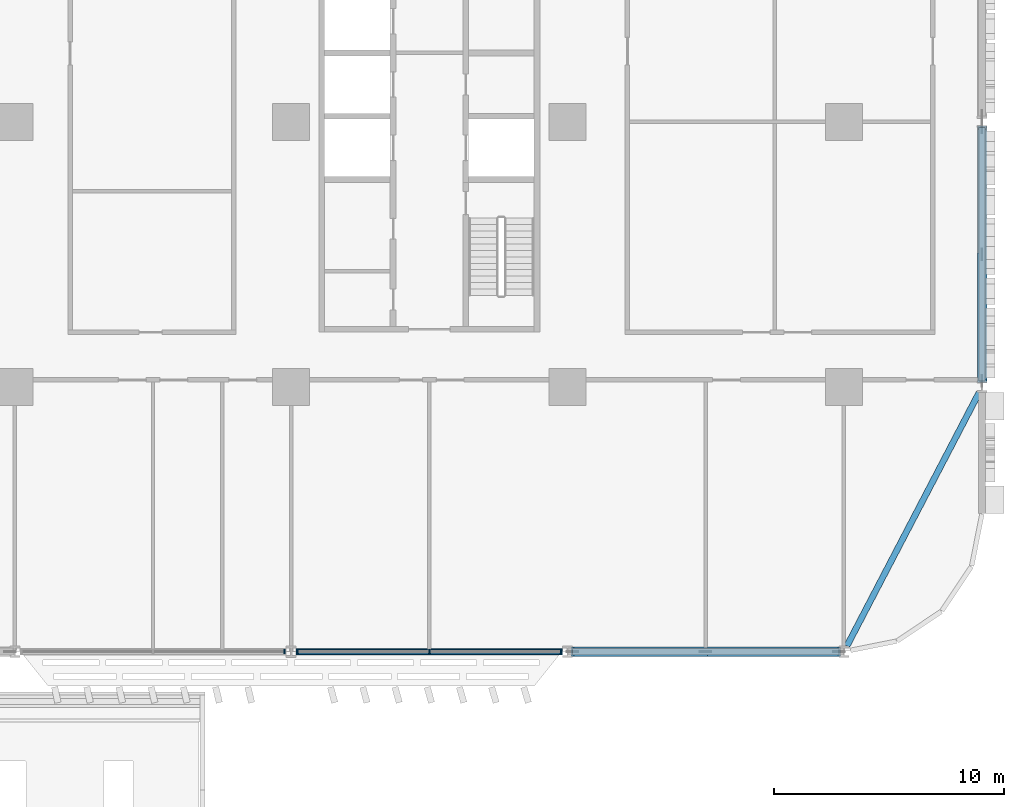
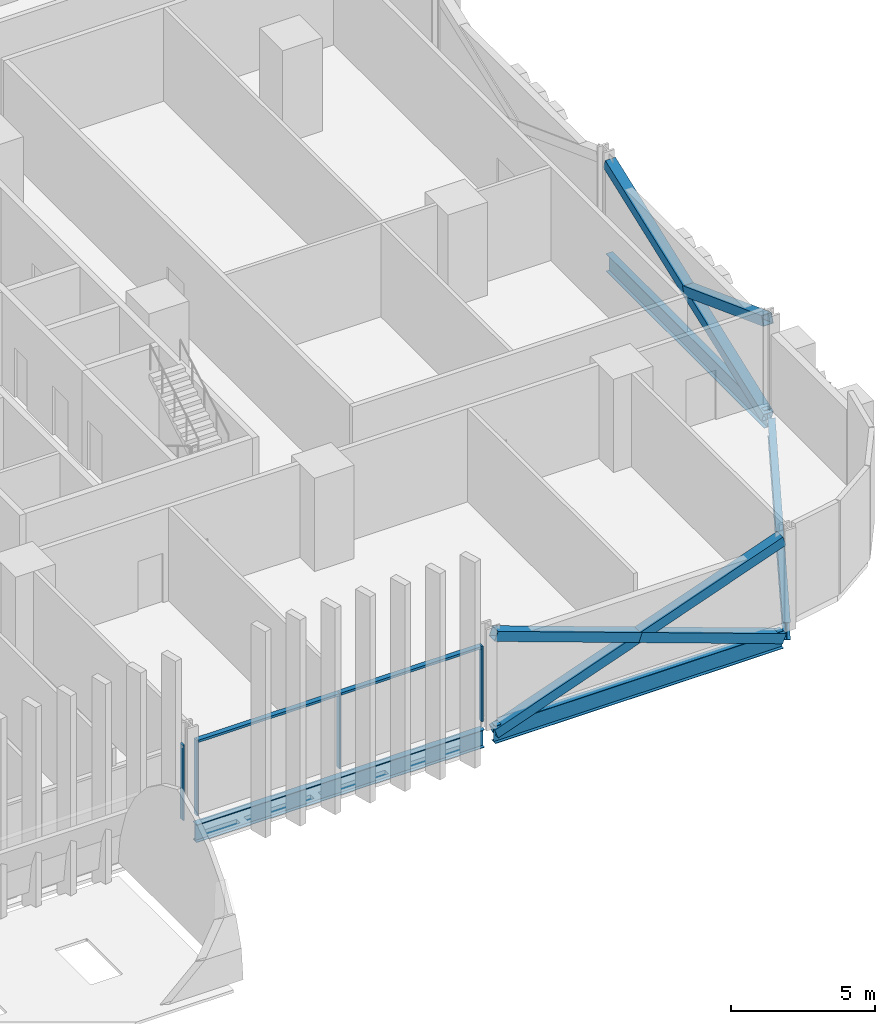
# One storey, part 7 of 31: 11 members, 4 beams, 2 elements without a shape of their own.
"""IFC4 building model written with IfcOpenShell, lengths in metres."""

import ifcopenshell
import ifcopenshell.guid

model = None  # the IFC model being written
_history = None  # IfcOwnerHistory: only IFC2X3 demands one
_inside = {}  # id of a spatial element -> (the spatial element, [elements in it])
_under = {}  # id of a project, library or spatial element -> (it, [spatial elements below it])
_declared = {}  # id of a project -> (the project, [libraries it declares])
_typed = {}  # id of a type object -> (the type object, [elements of that type])
_made_of = {}  # id of a material, layer set ... -> (it, [elements and type objects made of it])


def new_model(schema):
    """Start an empty IFC model of exactly this schema.

    Asked for "IFC4X3", IfcOpenShell would pick the latest addendum, in which some entities
    have other attributes; the version numbers below select the first issue.
    IFC2X3 requires an IfcOwnerHistory on every rooted entity: one is made here for all.
    """
    global model, _history
    if schema == "IFC4X3":
        model = ifcopenshell.file(schema_version=(4, 3, 0, 0))
    else:
        model = ifcopenshell.file(schema=schema)
    _inside.clear()
    _under.clear()
    _declared.clear()
    _typed.clear()
    _made_of.clear()
    _history = None
    if model.schema == "IFC2X3":
        org = make("IfcOrganization", Name="unknown")
        user = make(
            "IfcPersonAndOrganization",
            ThePerson=make("IfcPerson", FamilyName="unknown"),
            TheOrganization=org,
        )
        app = make(
            "IfcApplication",
            ApplicationDeveloper=org,
            Version="unknown",
            ApplicationFullName="unknown",
            ApplicationIdentifier="unknown",
        )
        _history = make(
            "IfcOwnerHistory",
            OwningUser=user,
            OwningApplication=app,
            ChangeAction="ADDED",
            CreationDate=0,
        )
    return model


def make(cls, **values):
    """One entity of the class cls with the attributes given. An attribute that is None is left unset."""
    return model.create_entity(
        cls, **{name: value for name, value in values.items() if value is not None}
    )


def rooted(cls, **values):
    """An entity with a GlobalId (a new one), such as an element, a storey or a relation."""
    return make(cls, GlobalId=ifcopenshell.guid.new(), OwnerHistory=_history, **values)


def si_unit(unit_type, name, prefix=None):
    """IfcSIUnit, for example si_unit("LENGTHUNIT", "METRE", prefix="MILLI")."""
    return make("IfcSIUnit", UnitType=unit_type, Prefix=prefix, Name=name)


def assignment(units):
    """IfcUnitAssignment: the units of a project."""
    return None if units is None else make("IfcUnitAssignment", Units=units)


def point(xyz):
    """IfcCartesianPoint."""
    return None if xyz is None else make("IfcCartesianPoint", Coordinates=xyz)


def direction(xyz):
    """IfcDirection."""
    return None if xyz is None else make("IfcDirection", DirectionRatios=xyz)


def frame(location, z_axis=None, x_axis=None):
    """IfcAxis2Placement3D, a coordinate frame: its origin and axes. An axis left out is left unset."""
    return make(
        "IfcAxis2Placement3D",
        Location=point(location),
        Axis=direction(z_axis),
        RefDirection=direction(x_axis),
    )


def frame_2d(location, x_axis=None):
    """IfcAxis2Placement2D, a coordinate frame in the plane: its origin and x axis."""
    return make(
        "IfcAxis2Placement2D", Location=point(location), RefDirection=direction(x_axis)
    )


def origin():
    """The frame at (0, 0, 0) with its axes left unset."""
    return frame((0.0, 0.0, 0.0))


def origin_2d():
    """The frame at (0, 0) in the plane with its x axis left unset."""
    return frame_2d((0.0, 0.0))


def place(relative_to, where):
    """IfcLocalPlacement: puts the frame where relative to a parent placement (None: the world)."""
    return make(
        "IfcLocalPlacement", PlacementRelTo=relative_to, RelativePlacement=where
    )


def context(
    kind, dimensions, precision=None, world=None, true_north=None, identifier=None
):
    """IfcGeometricRepresentationContext, for example the 3D "Model" context."""
    return make(
        "IfcGeometricRepresentationContext",
        ContextIdentifier=identifier,
        ContextType=kind,
        CoordinateSpaceDimension=dimensions,
        Precision=precision,
        WorldCoordinateSystem=world,
        TrueNorth=true_north,
    )


def subcontext(parent, identifier, kind, view, scale=None):
    """IfcGeometricRepresentationSubContext, for example "Body" below "Model"."""
    return make(
        "IfcGeometricRepresentationSubContext",
        ContextIdentifier=identifier,
        ContextType=kind,
        ParentContext=parent,
        TargetScale=scale,
        TargetView=view,
    )


def project(units=None, contexts=None):
    """IfcProject with its units and contexts."""
    return rooted(
        "IfcProject",
        Name="project",
        RepresentationContexts=contexts,
        UnitsInContext=assignment(units),
    )


def spatial(cls, under=None, at=None, **own):
    """A site, building, storey or space (cls), placed at a placement, below another one or the project."""
    s = rooted(cls, ObjectPlacement=at, **own)
    if under is not None:
        _under.setdefault(under.id(), (under, []))[1].append(s)
    return s


def profile(cls, at=None, kind="AREA", **sizes):
    """A parametric profile (cls). Its sizes go by their IFC names, for example OverallWidth=200.0."""
    return make(cls, ProfileType=kind, Position=at, **sizes)


def rectangle(**sizes):
    """IfcRectangleProfileDef."""
    return profile("IfcRectangleProfileDef", **sizes)


def hollow_rectangle(**sizes):
    """IfcRectangleHollowProfileDef."""
    return profile("IfcRectangleHollowProfileDef", **sizes)


def i_section(**sizes):
    """IfcIShapeProfileDef."""
    return profile("IfcIShapeProfileDef", **sizes)


def extrude(swept, where, along, depth):
    """IfcExtrudedAreaSolid: the profile swept, set in the frame where, extruded along a direction by depth."""
    return make(
        "IfcExtrudedAreaSolid",
        SweptArea=swept,
        Position=where,
        ExtrudedDirection=direction(along),
        Depth=depth,
    )


def shape(context_of_items, identifier, shape_type, items):
    """IfcShapeRepresentation: the items that make up one representation, for example the "Body"."""
    return make(
        "IfcShapeRepresentation",
        ContextOfItems=context_of_items,
        RepresentationIdentifier=identifier,
        RepresentationType=shape_type,
        Items=items,
    )


def material(Name=None, Category=None):
    """IfcMaterial."""
    return make("IfcMaterial", Name=Name, Category=Category)


def material_profile(
    of_material, cross_section, Name=None, Category=None, Priority=None
):
    """IfcMaterialProfile: a cross section and its material."""
    return make(
        "IfcMaterialProfile",
        Name=Name,
        Material=of_material,
        Profile=cross_section,
        Priority=Priority,
        Category=Category,
    )


def profile_set(profiles, Name=None, composite=None):
    """IfcMaterialProfileSet."""
    return make(
        "IfcMaterialProfileSet",
        Name=Name,
        MaterialProfiles=profiles,
        CompositeProfile=composite,
    )


def made_of(thing, what):
    """Note that an element or type object is made of a material, layer set ...; save() writes the relation."""
    if what is not None:
        _made_of.setdefault(what.id(), (what, []))[1].append(thing)
    return thing


def type_object(cls, material=None, **own):
    """A type object (cls), such as IfcWallType, which elements share."""
    return made_of(rooted(cls, **own), material)


def element(
    cls,
    number,
    at=None,
    inside=None,
    cuts=None,
    type_object=None,
    material=None,
    context=None,
    identifier="Body",
    shape_type=None,
    held_by="IfcProductDefinitionShape",
    body=None,
    shapes=None,
    **own,
):
    """One element of the class cls, such as IfcWall. Its Tag is "e" and its number.

    at: its placement. inside: the storey or other place that contains it. cuts: it is an
    opening in that element (IfcRelVoidsElement). A single representation is given by context,
    identifier, shape_type and body (its items); several are given by shapes. held_by: the class
    of the entity that holds the representations. save() writes the other relations.
    """
    e = rooted(cls, Tag="e%d" % number, ObjectPlacement=at, **own)
    if body is not None:
        shapes = [shape(context, identifier, shape_type, body)]
    if shapes is not None:
        e.Representation = make(held_by, Representations=shapes)
    if inside is not None:
        _inside.setdefault(inside.id(), (inside, []))[1].append(e)
    if cuts is not None:
        rooted(
            "IfcRelVoidsElement", RelatingBuildingElement=cuts, RelatedOpeningElement=e
        )
    if type_object is not None:
        _typed.setdefault(type_object.id(), (type_object, []))[1].append(e)
    return made_of(e, material)


def aggregate(whole, parts):
    """IfcRelAggregates: a whole, such as a stair, and the parts it consists of."""
    return rooted("IfcRelAggregates", RelatingObject=whole, RelatedObjects=parts)


def save(model, path):
    """Write the relations noted so far, then the file.

    IfcRelAggregates (storeys below a building ...), IfcRelContainedInSpatialStructure (elements
    in a storey), IfcRelDefinesByType, IfcRelAssociatesMaterial and IfcRelDeclares: one each for
    every whole, place, type object, material and project.
    """
    for whole, parts in _under.values():
        aggregate(whole, parts)
    for where, things in _inside.values():
        rooted(
            "IfcRelContainedInSpatialStructure",
            RelatedElements=things,
            RelatingStructure=where,
        )
    for kind, things in _typed.values():
        rooted("IfcRelDefinesByType", RelatedObjects=things, RelatingType=kind)
    for what, things in _made_of.values():
        rooted("IfcRelAssociatesMaterial", RelatedObjects=things, RelatingMaterial=what)
    for by, libraries in _declared.values():
        rooted("IfcRelDeclares", RelatingContext=by, RelatedDefinitions=libraries)
    model.write(path)


model = new_model("IFC4")

# Units and contexts
model_context = context("Model", 3, precision=1e-05, world=origin(), true_north=direction((0.0, 1.0)))
body_context = subcontext(model_context, "Body", "Model", "MODEL_VIEW")
ifc_project = project(units=[si_unit("LENGTHUNIT", "METRE"), si_unit("AREAUNIT", "SQUARE_METRE"), si_unit("VOLUMEUNIT", "CUBIC_METRE"), si_unit("PLANEANGLEUNIT", "RADIAN"), si_unit("MASSUNIT", "GRAM", prefix="KILO")], contexts=[model_context])

# Site, building, storey
site_placement = place(None, origin())
site = spatial("IfcSite", under=ifc_project, at=site_placement, CompositionType="ELEMENT")
building_placement = place(site_placement, origin())
building = spatial("IfcBuilding", under=site, at=building_placement, Name="Mahtab Terrace Research Tower", CompositionType="ELEMENT")
storey_placement = place(building_placement, frame((0.0, 0.0, 11.5)))
storey = spatial("IfcBuildingStorey", under=building, at=storey_placement, Name="L02", CompositionType="ELEMENT", Elevation=11.5)

# Members
ifc_material_1 = material(Name="Steel ASTM A500 Gr C", Category="steel")
ifc_material_profile_1 = material_profile(ifc_material_1, hollow_rectangle(XDim=0.406494140625, YDim=0.406494140625, WallThickness=0.01904296875, at=origin_2d()), Name="HSS16X16X3/4")
ifc_profile_set_1 = profile_set([ifc_material_profile_1], Name="Steel ASTM A500 Gr C")
member_type_1 = type_object("IfcMemberType", Name="HSS 16x16x3/4 brace XB161634", PredefinedType="BRACE", material=ifc_profile_set_1)
member_1_placement = place(storey_placement, frame((30.2158203125, -23.0, -0.64111328125), z_axis=(0.941388097231, 0.0, 0.337325436917), x_axis=(0.0, 1.0, 0.0)))
element("IfcMember", 1, at=member_1_placement, inside=storey, type_object=member_type_1, Name="Exoskeleton brace L02 18 a", PredefinedType="BRACE", context=body_context, shape_type="SweptSolid", body=[
    extrude(hollow_rectangle(XDim=0.406494140625, YDim=0.406494140625, WallThickness=0.01904296875, at=origin_2d()), origin(), (0.0, 0.0, 1.0), 12.28857421875),
])
for number, where, z_axis, x_axis, name in (
    (2, (41.7841796875, -23.0, -0.64111328125), (-0.941381788192, 0.0, 0.337343043295), (0.0, -1.0, 0.0), "Exoskeleton brace L02 18 b1"),
    (3, (36.0, -23.0, 1.431640625), (-0.941394406025, 0.0, 0.337307830185), (0.0, -1.0, 0.0), "Exoskeleton brace L02 18 b2"),
):
    element("IfcMember", number, at=place(storey_placement, frame(where, z_axis=z_axis, x_axis=x_axis)), inside=storey, type_object=member_type_1, Name=name, PredefinedType="BRACE", context=body_context, shape_type="SweptSolid", body=[
        extrude(hollow_rectangle(XDim=0.406494140625, YDim=0.406494140625, WallThickness=0.01904296875, at=origin_2d()), origin(), (0.0, 0.0, 1.0), 6.144287109375),
    ])
member_2_placement = place(storey_placement, frame((48.0, -11.251220703125, -0.62548828125), z_axis=(0.0, 0.936661873217, 0.350234971499), x_axis=(-1.0, 0.0, 0.0)))
element("IfcMember", 4, at=member_2_placement, inside=storey, type_object=member_type_1, Name="Exoskeleton brace L02 20 a", PredefinedType="BRACE", context=body_context, shape_type="SweptSolid", body=[
    extrude(hollow_rectangle(XDim=0.406494140625, YDim=0.406494140625, WallThickness=0.01904296875, at=origin_2d()), origin(), (0.0, 0.0, 1.0), 11.746337890625),
])
member_3_placement = place(storey_placement, frame((48.0, -5.75, 1.431640625), z_axis=(0.0, -0.936668691391, 0.350216736563), x_axis=(1.0, 0.0, 0.0)))
element("IfcMember", 5, at=member_3_placement, inside=storey, type_object=member_type_1, Name="Exoskeleton brace L02 20 b2", PredefinedType="BRACE", context=body_context, shape_type="SweptSolid", body=[
    extrude(hollow_rectangle(XDim=0.406494140625, YDim=0.406494140625, WallThickness=0.01904296875, at=origin_2d()), origin(), (0.0, 0.0, 1.0), 5.873291015625),
])

# Curtain wall, member
ifc_material_2 = material(Name="Laboratory ribbon curtain wall")
curtain_wall_type = type_object("IfcCurtainWallType", Name="Laboratory ribbon curtain wall", PredefinedType="NOTDEFINED", material=ifc_material_2)
curtain_wall_1_placement = place(storey_placement, origin())
curtain_wall_1 = element("IfcCurtainWall", 6, at=curtain_wall_1_placement, inside=storey, type_object=curtain_wall_type, Name="EN.L02.13.26", PredefinedType="NOTDEFINED")
ifc_material_3 = material(Name="Natural anodised aluminium", Category="aluminium")
ifc_material_profile_2 = material_profile(ifc_material_3, rectangle(XDim=0.199951171875, YDim=0.06494140625, at=origin_2d()), Name="MULLION 65x200")
ifc_profile_set_2 = profile_set([ifc_material_profile_2], Name="Natural anodised aluminium")
member_type_2 = type_object("IfcMemberType", Name="Laboratory ribbon curtain wall mullion", PredefinedType="MULLION", material=ifc_profile_set_2)
member_4_placement = place(storey_placement, frame((17.718505859375, -23.0, 0.0), z_axis=(0.0, 0.0, 1.0), x_axis=(0.0, 1.0, 0.0)))
member_4 = element("IfcMember", 7, at=member_4_placement, type_object=member_type_2, Name="CWL-1 mullion 3", PredefinedType="MULLION", context=body_context, shape_type="SweptSolid", body=[
    extrude(rectangle(XDim=0.199951171875, YDim=0.06494140625, at=origin_2d()), origin(), (0.0, 0.0, 1.0), 3.203125),
])
aggregate(curtain_wall_1, [member_4])

# Curtain wall, members
curtain_wall_2_placement = place(storey_placement, origin())
curtain_wall_2 = element("IfcCurtainWall", 8, at=curtain_wall_2_placement, inside=storey, type_object=curtain_wall_type, Name="EN.L02.13.27", PredefinedType="NOTDEFINED")
member_5_placement = place(storey_placement, frame((18.281494140625, -23.0, 0.0), z_axis=(0.0, 0.0, 1.0), x_axis=(0.0, 1.0, 0.0)))
member_5 = element("IfcMember", 9, at=member_5_placement, type_object=member_type_2, Name="CWL-1 mullion 1", PredefinedType="MULLION", context=body_context, shape_type="SweptSolid", body=[
    extrude(rectangle(XDim=0.199951171875, YDim=0.06494140625, at=origin_2d()), origin(), (0.0, 0.0, 1.0), 3.203125),
])
member_6_placement = place(storey_placement, frame((24.0, -23.0, 0.0), z_axis=(0.0, 0.0, 1.0), x_axis=(0.0, 1.0, 0.0)))
member_6 = element("IfcMember", 10, at=member_6_placement, type_object=member_type_2, Name="CWL-1 mullion 2", PredefinedType="MULLION", context=body_context, shape_type="SweptSolid", body=[
    extrude(rectangle(XDim=0.199951171875, YDim=0.06494140625, at=origin_2d()), origin(), (0.0, 0.0, 1.0), 3.203125),
])
member_7_placement = place(storey_placement, frame((29.718505859375, -23.0, 0.0), z_axis=(0.0, 0.0, 1.0), x_axis=(0.0, 1.0, 0.0)))
member_7 = element("IfcMember", 11, at=member_7_placement, type_object=member_type_2, Name="CWL-1 mullion 3", PredefinedType="MULLION", context=body_context, shape_type="SweptSolid", body=[
    extrude(rectangle(XDim=0.199951171875, YDim=0.06494140625, at=origin_2d()), origin(), (0.0, 0.0, 1.0), 3.203125),
])
ifc_material_profile_3 = material_profile(ifc_material_3, rectangle(XDim=0.199951171875, YDim=0.10009765625, at=origin_2d()), Name="TRANSOM 100x200")
ifc_profile_set_3 = profile_set([ifc_material_profile_3], Name="Natural anodised aluminium")
member_type_3 = type_object("IfcMemberType", Name="Laboratory ribbon curtain wall transom", PredefinedType="USERDEFINED", material=ifc_profile_set_3)
member_8_placement = place(storey_placement, frame((18.31396484375, -23.0, 3.153076171875), z_axis=(1.0, 0.0, 0.0), x_axis=(0.0, 1.0, 0.0)))
member_8 = element("IfcMember", 12, at=member_8_placement, type_object=member_type_3, Name="CWL-1 transom 1", ObjectType="TRANSOM", PredefinedType="USERDEFINED", context=body_context, shape_type="SweptSolid", body=[
    extrude(rectangle(XDim=0.199951171875, YDim=0.10009765625, at=origin_2d()), origin(), (0.0, 0.0, 1.0), 5.653564453125),
])
member_9_placement = place(storey_placement, frame((24.032470703125, -23.0, 3.153076171875), z_axis=(1.0, 0.0, 0.0), x_axis=(0.0, 1.0, 0.0)))
member_9 = element("IfcMember", 13, at=member_9_placement, type_object=member_type_3, Name="CWL-1 transom 2", ObjectType="TRANSOM", PredefinedType="USERDEFINED", context=body_context, shape_type="SweptSolid", body=[
    extrude(rectangle(XDim=0.199951171875, YDim=0.10009765625, at=origin_2d()), origin(), (0.0, 0.0, 1.0), 5.653564453125),
])
aggregate(curtain_wall_2, [member_5, member_6, member_7, member_8, member_9])

# Beams
ifc_material_4 = material(Name="Steel ASTM A992 Gr 50", Category="steel")
ifc_material_profile_4 = material_profile(ifc_material_4, i_section(OverallWidth=0.2666015625, OverallDepth=0.7568359375, WebThickness=0.013916015625, FlangeThickness=0.019287109375, at=origin_2d()), Name="W30X108")
ifc_profile_set_4 = profile_set([ifc_material_profile_4], Name="Steel ASTM A992 Gr 50")
beam_type = type_object("IfcBeamType", Name="W30x108 beam BS30108", PredefinedType="BEAM", material=ifc_profile_set_4)
for number, where, z_axis, x_axis, name in (
    (14, (18.2158203125, -23.0, -0.718505859375), (1.0, 0.0, 0.0), (0.0, 1.0, 0.0), "Spandrel beam L02 17"),
    (15, (30.2158203125, -23.0, -0.718505859375), (1.0, 0.0, 0.0), (0.0, 1.0, 0.0), "Spandrel beam L02 18"),
):
    element("IfcBeam", number, at=place(storey_placement, frame(where, z_axis=z_axis, x_axis=x_axis)), inside=storey, type_object=beam_type, Name=name, PredefinedType="BEAM", context=body_context, shape_type="SweptSolid", body=[
        extrude(i_section(OverallWidth=0.2666015625, OverallDepth=0.7568359375, WebThickness=0.013916015625, FlangeThickness=0.019287109375, at=origin_2d()), origin(), (0.0, 0.0, 1.0), 11.568359375),
    ])
beam_1_placement = place(storey_placement, frame((42.1298828125, -22.751220703125, -0.718505859375), z_axis=(0.462555249274, 0.88659045865, 0.0), x_axis=(-0.88659045865, 0.462555249274, 0.0)))
element("IfcBeam", 16, at=beam_1_placement, inside=storey, type_object=beam_type, Name="Spandrel beam L02 19", PredefinedType="BEAM", context=body_context, shape_type="SweptSolid", body=[
    extrude(i_section(OverallWidth=0.2666015625, OverallDepth=0.7568359375, WebThickness=0.013916015625, FlangeThickness=0.019287109375, at=origin_2d()), origin(), (0.0, 0.0, 1.0), 12.409912109375),
])
beam_2_placement = place(storey_placement, frame((48.0, -11.251220703125, -0.718505859375), z_axis=(0.0, 1.0, 0.0), x_axis=(-1.0, 0.0, 0.0)))
element("IfcBeam", 17, at=beam_2_placement, inside=storey, type_object=beam_type, Name="Spandrel beam L02 20", PredefinedType="BEAM", context=body_context, shape_type="SweptSolid", body=[
    extrude(i_section(OverallWidth=0.2666015625, OverallDepth=0.7568359375, WebThickness=0.013916015625, FlangeThickness=0.019287109375, at=origin_2d()), origin(), (0.0, 0.0, 1.0), 11.00244140625),
])

save(model, "model.ifc")
